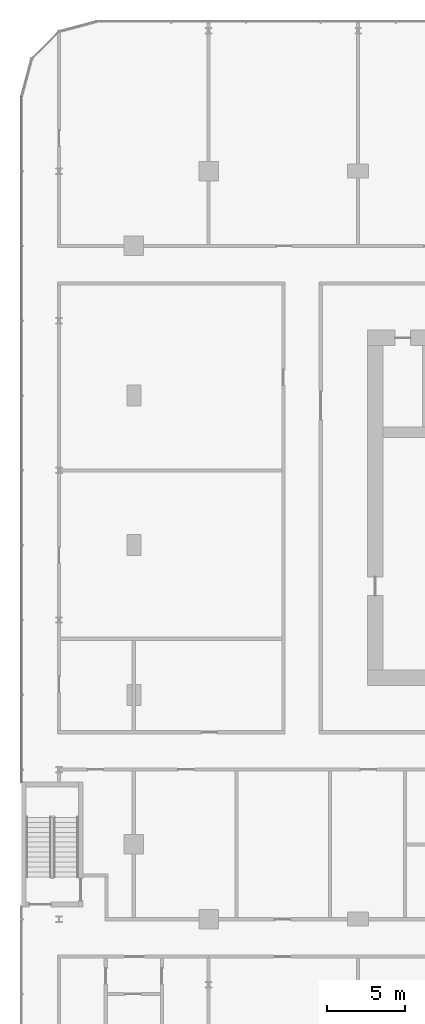
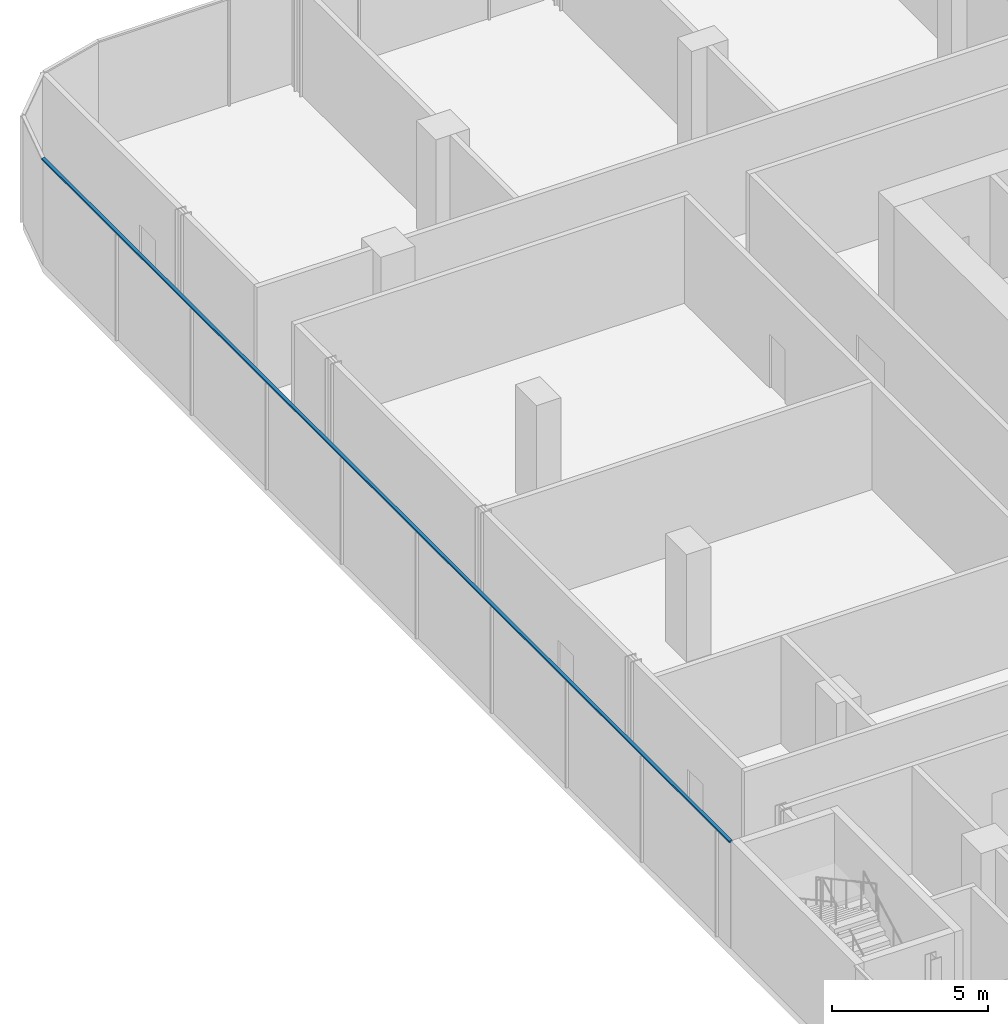
# One storey, part 16 of 45: 1 member, 1 element without a shape of its own.
"""IFC4 building model written with IfcOpenShell, lengths in metres."""

from ifc_helpers import new_model, si_unit, direction, frame, origin, origin_2d, place, context, subcontext, project, spatial, rectangle, extrude, material, layer, layer_set, material_profile, profile_set, type_object, element, aggregate, save


model = new_model("IFC4")

# Units and contexts
model_context = context("Model", 3, precision=1e-05, world=origin(), true_north=direction((0.0, 1.0)))
body_context = subcontext(model_context, "Body", "Model", "MODEL_VIEW")
ifc_project = project(units=[si_unit("LENGTHUNIT", "METRE"), si_unit("AREAUNIT", "SQUARE_METRE"), si_unit("VOLUMEUNIT", "CUBIC_METRE"), si_unit("PLANEANGLEUNIT", "RADIAN"), si_unit("MASSUNIT", "GRAM", prefix="KILO")], contexts=[model_context])

# Site, building, storey
site_placement = place(None, origin())
site = spatial("IfcSite", under=ifc_project, at=site_placement, CompositionType="ELEMENT")
building_placement = place(site_placement, origin())
building = spatial("IfcBuilding", under=site, at=building_placement, Name="Madar Terraces", CompositionType="ELEMENT")
storey_placement = place(building_placement, frame((0.0, 0.0, 6.0)))
storey = spatial("IfcBuildingStorey", under=building, at=storey_placement, Name="L01", CompositionType="ELEMENT", Elevation=6.0)

# Curtain wall, member
ifc_material_1 = material(Name="Glass, clear low-iron, with black aluminium frame", Category="aluminium")
ifc_layer = layer(ifc_material_1, 0.199951171875)
ifc_layer_set = layer_set([ifc_layer], Name="Facade curtain wall, shopfront glazing")
curtain_wall_type = type_object("IfcCurtainWallType", Name="Facade curtain wall, shopfront glazing", PredefinedType="NOTDEFINED", material=ifc_layer_set)
curtain_wall_placement = place(storey_placement, origin())
curtain_wall = element("IfcCurtainWall", 1, at=curtain_wall_placement, inside=storey, type_object=curtain_wall_type, Name="Outer skin curtain wall west bay 1", PredefinedType="NOTDEFINED")
ifc_material_2 = material(Name="Aluminium, black anodised", Category="aluminium")
ifc_material_profile = material_profile(ifc_material_2, rectangle(XDim=0.1201171875, YDim=0.06005859375, at=origin_2d()), Name="Facade transom 60x120")
ifc_profile_set = profile_set([ifc_material_profile], Name="Aluminium, black anodised")
member_type = type_object("IfcMemberType", Name="Facade transom 60x120", PredefinedType="USERDEFINED", material=ifc_profile_set)
member_placement = place(storey_placement, frame((-7.199951171875, 52.800048828125, 4.169921875), z_axis=(0.0, -1.0, 0.0), x_axis=(1.0, 0.0, 0.0)))
member = element("IfcMember", 2, at=member_placement, type_object=member_type, Name="Transom 1", ObjectType="TRANSOM", PredefinedType="USERDEFINED", context=body_context, shape_type="SweptSolid", body=[
    extrude(rectangle(XDim=0.1201171875, YDim=0.06005859375, at=origin_2d()), origin(), (0.0, 0.0, 1.0), 44.0),
])
aggregate(curtain_wall, [member])

save(model, "model.ifc")
